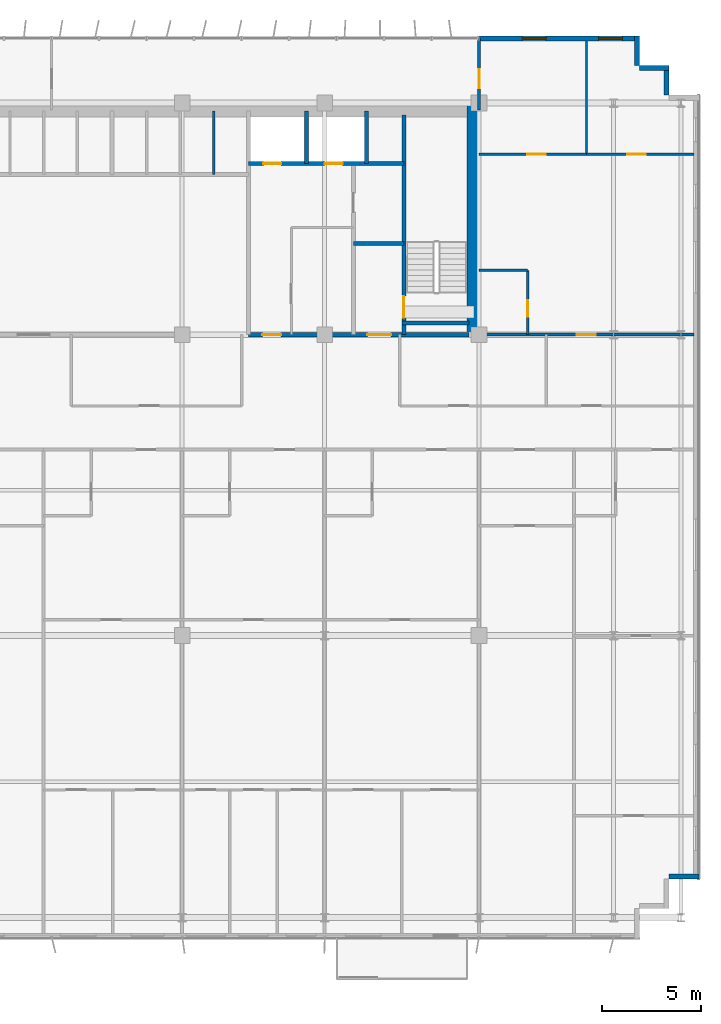
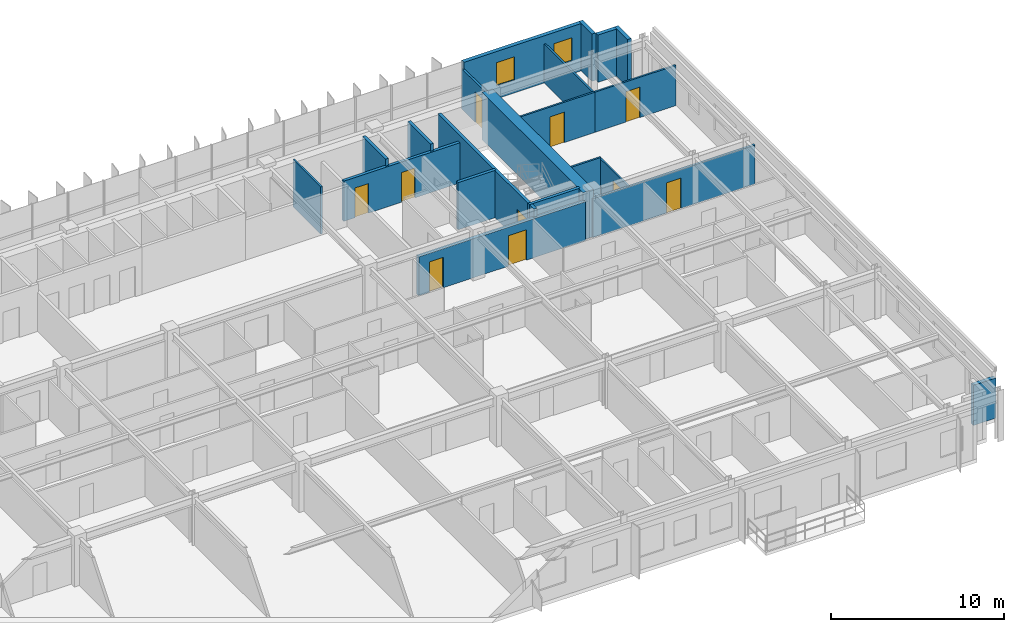
# One storey, part 18 of 22: 21 walls, 10 doors, 2 windows, 12 openings.
"""IFC4 building model written with IfcOpenShell, lengths in metres."""

import ifcopenshell
import ifcopenshell.guid

model = None  # the IFC model being written
_history = None  # IfcOwnerHistory: only IFC2X3 demands one
_inside = {}  # id of a spatial element -> (the spatial element, [elements in it])
_under = {}  # id of a project, library or spatial element -> (it, [spatial elements below it])
_declared = {}  # id of a project -> (the project, [libraries it declares])
_typed = {}  # id of a type object -> (the type object, [elements of that type])
_made_of = {}  # id of a material, layer set ... -> (it, [elements and type objects made of it])


def new_model(schema):
    """Start an empty IFC model of exactly this schema.

    Asked for "IFC4X3", IfcOpenShell would pick the latest addendum, in which some entities
    have other attributes; the version numbers below select the first issue.
    IFC2X3 requires an IfcOwnerHistory on every rooted entity: one is made here for all.
    """
    global model, _history
    if schema == "IFC4X3":
        model = ifcopenshell.file(schema_version=(4, 3, 0, 0))
    else:
        model = ifcopenshell.file(schema=schema)
    _inside.clear()
    _under.clear()
    _declared.clear()
    _typed.clear()
    _made_of.clear()
    _history = None
    if model.schema == "IFC2X3":
        org = make("IfcOrganization", Name="unknown")
        user = make(
            "IfcPersonAndOrganization",
            ThePerson=make("IfcPerson", FamilyName="unknown"),
            TheOrganization=org,
        )
        app = make(
            "IfcApplication",
            ApplicationDeveloper=org,
            Version="unknown",
            ApplicationFullName="unknown",
            ApplicationIdentifier="unknown",
        )
        _history = make(
            "IfcOwnerHistory",
            OwningUser=user,
            OwningApplication=app,
            ChangeAction="ADDED",
            CreationDate=0,
        )
    return model


def make(cls, **values):
    """One entity of the class cls with the attributes given. An attribute that is None is left unset."""
    return model.create_entity(
        cls, **{name: value for name, value in values.items() if value is not None}
    )


def rooted(cls, **values):
    """An entity with a GlobalId (a new one), such as an element, a storey or a relation."""
    return make(cls, GlobalId=ifcopenshell.guid.new(), OwnerHistory=_history, **values)


def si_unit(unit_type, name, prefix=None):
    """IfcSIUnit, for example si_unit("LENGTHUNIT", "METRE", prefix="MILLI")."""
    return make("IfcSIUnit", UnitType=unit_type, Prefix=prefix, Name=name)


def assignment(units):
    """IfcUnitAssignment: the units of a project."""
    return None if units is None else make("IfcUnitAssignment", Units=units)


def point(xyz):
    """IfcCartesianPoint."""
    return None if xyz is None else make("IfcCartesianPoint", Coordinates=xyz)


def direction(xyz):
    """IfcDirection."""
    return None if xyz is None else make("IfcDirection", DirectionRatios=xyz)


def frame(location, z_axis=None, x_axis=None):
    """IfcAxis2Placement3D, a coordinate frame: its origin and axes. An axis left out is left unset."""
    return make(
        "IfcAxis2Placement3D",
        Location=point(location),
        Axis=direction(z_axis),
        RefDirection=direction(x_axis),
    )


def frame_2d(location, x_axis=None):
    """IfcAxis2Placement2D, a coordinate frame in the plane: its origin and x axis."""
    return make(
        "IfcAxis2Placement2D", Location=point(location), RefDirection=direction(x_axis)
    )


def origin():
    """The frame at (0, 0, 0) with its axes left unset."""
    return frame((0.0, 0.0, 0.0))


def place(relative_to, where):
    """IfcLocalPlacement: puts the frame where relative to a parent placement (None: the world)."""
    return make(
        "IfcLocalPlacement", PlacementRelTo=relative_to, RelativePlacement=where
    )


def context(
    kind, dimensions, precision=None, world=None, true_north=None, identifier=None
):
    """IfcGeometricRepresentationContext, for example the 3D "Model" context."""
    return make(
        "IfcGeometricRepresentationContext",
        ContextIdentifier=identifier,
        ContextType=kind,
        CoordinateSpaceDimension=dimensions,
        Precision=precision,
        WorldCoordinateSystem=world,
        TrueNorth=true_north,
    )


def subcontext(parent, identifier, kind, view, scale=None):
    """IfcGeometricRepresentationSubContext, for example "Body" below "Model"."""
    return make(
        "IfcGeometricRepresentationSubContext",
        ContextIdentifier=identifier,
        ContextType=kind,
        ParentContext=parent,
        TargetScale=scale,
        TargetView=view,
    )


def project(units=None, contexts=None):
    """IfcProject with its units and contexts."""
    return rooted(
        "IfcProject",
        Name="project",
        RepresentationContexts=contexts,
        UnitsInContext=assignment(units),
    )


def spatial(cls, under=None, at=None, **own):
    """A site, building, storey or space (cls), placed at a placement, below another one or the project."""
    s = rooted(cls, ObjectPlacement=at, **own)
    if under is not None:
        _under.setdefault(under.id(), (under, []))[1].append(s)
    return s


def profile(cls, at=None, kind="AREA", **sizes):
    """A parametric profile (cls). Its sizes go by their IFC names, for example OverallWidth=200.0."""
    return make(cls, ProfileType=kind, Position=at, **sizes)


def rectangle(**sizes):
    """IfcRectangleProfileDef."""
    return profile("IfcRectangleProfileDef", **sizes)


def extrude(swept, where, along, depth):
    """IfcExtrudedAreaSolid: the profile swept, set in the frame where, extruded along a direction by depth."""
    return make(
        "IfcExtrudedAreaSolid",
        SweptArea=swept,
        Position=where,
        ExtrudedDirection=direction(along),
        Depth=depth,
    )


def shape(context_of_items, identifier, shape_type, items):
    """IfcShapeRepresentation: the items that make up one representation, for example the "Body"."""
    return make(
        "IfcShapeRepresentation",
        ContextOfItems=context_of_items,
        RepresentationIdentifier=identifier,
        RepresentationType=shape_type,
        Items=items,
    )


def source(mapping_origin, context_of_items, identifier, shape_type, items):
    """IfcRepresentationMap: a shape defined once, which mapped items show again and again."""
    return make(
        "IfcRepresentationMap",
        MappingOrigin=mapping_origin,
        MappedRepresentation=shape(context_of_items, identifier, shape_type, items),
    )


def transform(
    local_origin,
    x_axis=None,
    y_axis=None,
    z_axis=None,
    scale=None,
    scale2=None,
    scale3=None,
    uniform=True,
):
    """IfcCartesianTransformationOperator3D, or its non-uniform kind. x_axis, y_axis, z_axis: its Axis1, 2, 3."""
    if uniform:
        return make(
            "IfcCartesianTransformationOperator3D",
            Axis1=direction(x_axis),
            Axis2=direction(y_axis),
            LocalOrigin=point(local_origin),
            Scale=scale,
            Axis3=direction(z_axis),
        )
    return make(
        "IfcCartesianTransformationOperator3DnonUniform",
        Axis1=direction(x_axis),
        Axis2=direction(y_axis),
        LocalOrigin=point(local_origin),
        Scale=scale,
        Axis3=direction(z_axis),
        Scale2=scale2,
        Scale3=scale3,
    )


def mapped(mapping_source, mapping_target):
    """IfcMappedItem: shows the shape of a source again, moved by a transform."""
    return make(
        "IfcMappedItem", MappingSource=mapping_source, MappingTarget=mapping_target
    )


def material(Name=None, Category=None):
    """IfcMaterial."""
    return make("IfcMaterial", Name=Name, Category=Category)


def layer(
    of_material, thickness, ventilated=None, Name=None, Category=None, Priority=None
):
    """IfcMaterialLayer: one layer of a wall or slab, of a material (None: an air gap)."""
    return make(
        "IfcMaterialLayer",
        Material=of_material,
        LayerThickness=thickness,
        IsVentilated=ventilated,
        Name=Name,
        Category=Category,
        Priority=Priority,
    )


def layer_set(layers, Name=None):
    """IfcMaterialLayerSet."""
    return make("IfcMaterialLayerSet", MaterialLayers=layers, LayerSetName=Name)


def made_of(thing, what):
    """Note that an element or type object is made of a material, layer set ...; save() writes the relation."""
    if what is not None:
        _made_of.setdefault(what.id(), (what, []))[1].append(thing)
    return thing


def type_object(cls, material=None, **own):
    """A type object (cls), such as IfcWallType, which elements share."""
    return made_of(rooted(cls, **own), material)


def element(
    cls,
    number,
    at=None,
    inside=None,
    cuts=None,
    type_object=None,
    material=None,
    context=None,
    identifier="Body",
    shape_type=None,
    held_by="IfcProductDefinitionShape",
    body=None,
    shapes=None,
    **own,
):
    """One element of the class cls, such as IfcWall. Its Tag is "e" and its number.

    at: its placement. inside: the storey or other place that contains it. cuts: it is an
    opening in that element (IfcRelVoidsElement). A single representation is given by context,
    identifier, shape_type and body (its items); several are given by shapes. held_by: the class
    of the entity that holds the representations. save() writes the other relations.
    """
    e = rooted(cls, Tag="e%d" % number, ObjectPlacement=at, **own)
    if body is not None:
        shapes = [shape(context, identifier, shape_type, body)]
    if shapes is not None:
        e.Representation = make(held_by, Representations=shapes)
    if inside is not None:
        _inside.setdefault(inside.id(), (inside, []))[1].append(e)
    if cuts is not None:
        rooted(
            "IfcRelVoidsElement", RelatingBuildingElement=cuts, RelatedOpeningElement=e
        )
    if type_object is not None:
        _typed.setdefault(type_object.id(), (type_object, []))[1].append(e)
    return made_of(e, material)


def fill(opening, filler):
    """IfcRelFillsElement: the door or window that sits in an opening."""
    return rooted(
        "IfcRelFillsElement",
        RelatingOpeningElement=opening,
        RelatedBuildingElement=filler,
    )


def aggregate(whole, parts):
    """IfcRelAggregates: a whole, such as a stair, and the parts it consists of."""
    return rooted("IfcRelAggregates", RelatingObject=whole, RelatedObjects=parts)


def save(model, path):
    """Write the relations noted so far, then the file.

    IfcRelAggregates (storeys below a building ...), IfcRelContainedInSpatialStructure (elements
    in a storey), IfcRelDefinesByType, IfcRelAssociatesMaterial and IfcRelDeclares: one each for
    every whole, place, type object, material and project.
    """
    for whole, parts in _under.values():
        aggregate(whole, parts)
    for where, things in _inside.values():
        rooted(
            "IfcRelContainedInSpatialStructure",
            RelatedElements=things,
            RelatingStructure=where,
        )
    for kind, things in _typed.values():
        rooted("IfcRelDefinesByType", RelatedObjects=things, RelatingType=kind)
    for what, things in _made_of.values():
        rooted("IfcRelAssociatesMaterial", RelatedObjects=things, RelatingMaterial=what)
    for by, libraries in _declared.values():
        rooted("IfcRelDeclares", RelatingContext=by, RelatedDefinitions=libraries)
    model.write(path)


model = new_model("IFC4")

# Units and contexts
model_context = context("Model", 3, precision=1e-05, world=origin(), true_north=direction((0.0, 1.0)))
body_context = subcontext(model_context, "Body", "Model", "MODEL_VIEW")
ifc_project = project(units=[si_unit("LENGTHUNIT", "METRE"), si_unit("AREAUNIT", "SQUARE_METRE"), si_unit("VOLUMEUNIT", "CUBIC_METRE"), si_unit("PLANEANGLEUNIT", "RADIAN"), si_unit("MASSUNIT", "GRAM", prefix="KILO")], contexts=[model_context])

# Site, building, storey
site_placement = place(None, origin())
site = spatial("IfcSite", under=ifc_project, at=site_placement, CompositionType="ELEMENT")
building_placement = place(site_placement, origin())
building = spatial("IfcBuilding", under=site, at=building_placement, Name="Trelvane Seafront Commons", CompositionType="ELEMENT")
storey_placement = place(building_placement, frame((0.0, 0.0, 88.89990234375)))
storey = spatial("IfcBuildingStorey", under=building, at=storey_placement, Name="L22", CompositionType="ELEMENT", Elevation=88.89990234375)

# Wall, openings, windows
ifc_material_1 = material(Name="Precast concrete C40/50", Category="concrete")
ifc_layer_1 = layer(ifc_material_1, 0.260009765625, Name="ARCH-WALL-EXT260")
ifc_layer_set_1 = layer_set([ifc_layer_1], Name="Precast concrete C40/50")
wall_type_1 = type_object("IfcWallType", Name="ARCH-WALL-EXT260", PredefinedType="SOLIDWALL", material=ifc_layer_set_1)
wall_1_placement = place(storey_placement, frame((58.800048828125, 48.3701171875, 0.0), z_axis=(0.0, 0.0, 1.0), x_axis=(1.0, 0.0, 0.0)))
wall_1 = element("IfcWall", 1, at=wall_1_placement, inside=storey, type_object=wall_type_1, Name="EW-L22-NE-0392", PredefinedType="SOLIDWALL", context=body_context, shape_type="SweptSolid", body=[
    extrude(rectangle(XDim=8.0, YDim=0.260009765625, at=frame_2d((4.0, 0.0))), origin(), (0.0, 0.0, 1.0), 3.340087890625),
])
opening_1_placement = place(wall_1_placement, frame((2.19189453125, 0.0, 0.89990234375)))
opening_1 = element("IfcOpeningElement", 2, at=opening_1_placement, cuts=wall_1, Name="Opening W05", PredefinedType="OPENING", context=body_context, shape_type="SweptSolid", body=[
    extrude(rectangle(XDim=1.199951171875, YDim=1.64990234375, at=frame_2d((0.60009765625, 0.824951171875))), frame((0.0, 0.139892578125, 0.0), z_axis=(0.0, -1.0, 0.0), x_axis=(1.0, 0.0, 0.0)), (0.0, 0.0, 1.0), 0.280029296875),
])
opening_2_placement = place(wall_1_placement, frame((6.032958984375, 0.0, 0.89990234375)))
opening_2 = element("IfcOpeningElement", 3, at=opening_2_placement, cuts=wall_1, Name="Opening W05", PredefinedType="OPENING", context=body_context, shape_type="SweptSolid", body=[
    extrude(rectangle(XDim=1.199951171875, YDim=1.64990234375, at=frame_2d((0.60009765625, 0.824951171875))), frame((0.0, 0.139892578125, 0.0), z_axis=(0.0, -1.0, 0.0), x_axis=(1.0, 0.0, 0.0)), (0.0, 0.0, 1.0), 0.280029296875),
])
ifc_material_2 = material(Name="Low-E coastal double glazing", Category="glass")
window_type = type_object("IfcWindowType", Name="ARCH-WIN-W05", PartitioningType="SINGLE_PANEL", PredefinedType="WINDOW", material=ifc_material_2)
shared_shape_1 = source(origin(), body_context, "Body", "SweptSolid", [
    extrude(rectangle(XDim=1.199951171875, YDim=1.64990234375, at=frame_2d((0.60009765625, 0.824951171875))), frame((0.0, 0.030029296875, 0.0), z_axis=(0.0, -1.0, 0.0), x_axis=(1.0, 0.0, 0.0)), (0.0, 0.0, 1.0), 0.06005859375),
])
window_1_placement = place(opening_1_placement, origin())
window_1 = element("IfcWindow", 4, at=window_1_placement, inside=storey, type_object=window_type, Name="WIN-L22-00450", OverallHeight=1.64990234375, OverallWidth=1.199951171875, PartitioningType="SINGLE_PANEL", PredefinedType="WINDOW", context=body_context, shape_type="MappedRepresentation", body=[
    mapped(shared_shape_1, transform((0.0, 0.0, 0.0), x_axis=(1.0, 0.0, 0.0), y_axis=(0.0, 1.0, 0.0), z_axis=(0.0, 0.0, 1.0), scale=1.0)),
])
fill(opening_1, window_1)
window_2_placement = place(opening_2_placement, origin())
window_2 = element("IfcWindow", 5, at=window_2_placement, inside=storey, type_object=window_type, Name="WIN-L22-00451", OverallHeight=1.64990234375, OverallWidth=1.199951171875, PartitioningType="SINGLE_PANEL", PredefinedType="WINDOW", context=body_context, shape_type="MappedRepresentation", body=[
    mapped(shared_shape_1, transform((0.0, 0.0, 0.0), x_axis=(1.0, 0.0, 0.0), y_axis=(0.0, 1.0, 0.0), z_axis=(0.0, 0.0, 1.0), scale=1.0)),
])
fill(opening_2, window_2)

# Walls
for number, where, z_axis, x_axis, name in (
    (6, (66.77001953125, 48.5, 0.0), (0.0, 0.0, 1.0), (0.0, -1.0, 0.0), "EW-L22-00401"),
    (7, (66.89990234375, 46.8701171875, 0.0), (0.0, 0.0, 1.0), (1.0, 0.0, 0.0), "EW-L22-00402"),
    (8, (68.27001953125, 47.0, 0.0), (0.0, 0.0, 1.0), (0.0, -1.0, 0.0), "EW-L22-00403"),
):
    element("IfcWall", number, at=place(storey_placement, frame(where, z_axis=z_axis, x_axis=x_axis)), inside=storey, type_object=wall_type_1, Name=name, PredefinedType="SOLIDWALL", context=body_context, shape_type="SweptSolid", body=[
        extrude(rectangle(XDim=1.5, YDim=0.260009765625, at=frame_2d((0.75, 0.0))), origin(), (0.0, 0.0, 1.0), 3.340087890625),
    ])
wall_2_placement = place(storey_placement, frame((69.89990234375, 6.030029296875, 0.0), z_axis=(0.0, 0.0, 1.0), x_axis=(-1.0, 0.0, 0.0)))
element("IfcWall", 9, at=wall_2_placement, inside=storey, type_object=wall_type_1, Name="EW-L22-00406", PredefinedType="SOLIDWALL", context=body_context, shape_type="SweptSolid", body=[
    extrude(rectangle(XDim=1.5, YDim=0.260009765625, at=frame_2d((0.75, 0.0))), origin(), (0.0, 0.0, 1.0), 2.840087890625),
])
ifc_material_3 = material(Name="Concrete C40/50", Category="concrete")
ifc_layer_2 = layer(ifc_material_3, 0.199951171875, Name="ARCH-WALL-FIRE200")
ifc_layer_set_2 = layer_set([ifc_layer_2], Name="Concrete C40/50")
wall_type_2 = type_object("IfcWallType", Name="ARCH-WALL-FIRE200", PredefinedType="PARTITIONING", material=ifc_layer_set_2)
wall_3_placement = place(storey_placement, frame((52.449951171875, 38.0, 0.0), z_axis=(0.0, 0.0, 1.0), x_axis=(1.0, 0.0, 0.0)))
element("IfcWall", 10, at=wall_3_placement, inside=storey, type_object=wall_type_2, Name="W-L22-ST2V-N-034", PredefinedType="PARTITIONING", context=body_context, shape_type="SweptSolid", body=[
    extrude(rectangle(XDim=2.550048828125, YDim=0.199951171875, at=frame_2d((1.27490234375, 0.0))), origin(), (0.0, 0.0, 1.0), 3.340087890625),
])

# Wall, openings, doors
ifc_layer_3 = layer(ifc_material_3, 0.25, Name="ARCH-WALL-FIRE250")
ifc_layer_set_3 = layer_set([ifc_layer_3], Name="Concrete C40/50")
wall_type_3 = type_object("IfcWallType", Name="ARCH-WALL-FIRE250", PredefinedType="PARTITIONING", material=ifc_layer_set_3)
wall_4_placement = place(storey_placement, frame((47.14990234375, 33.39990234375, 0.0), z_axis=(0.0, 0.0, 1.0), x_axis=(1.0, 0.0, 0.0)))
wall_4 = element("IfcWall", 11, at=wall_4_placement, inside=storey, type_object=wall_type_3, Name="W-L22-CS-EAST-037", PredefinedType="PARTITIONING", context=body_context, shape_type="SweptSolid", body=[
    extrude(rectangle(XDim=11.150146484375, YDim=0.25, at=frame_2d((5.5751953125, 0.0))), origin(), (0.0, 0.0, 1.0), 2.752197265625),
])
opening_3_placement = place(wall_4_placement, frame((0.699951171875, 0.0, 0.0)))
opening_3 = element("IfcOpeningElement", 12, at=opening_3_placement, cuts=wall_4, Name="Opening FD-L22-15", PredefinedType="OPENING", context=body_context, shape_type="SweptSolid", body=[
    extrude(rectangle(XDim=0.949951171875, YDim=2.14990234375, at=frame_2d((0.47509765625, 1.074951171875))), frame((0.0, 0.135009765625, 0.0), z_axis=(0.0, -1.0, 0.0), x_axis=(1.0, 0.0, 0.0)), (0.0, 0.0, 1.0), 0.27001953125),
])
opening_4_placement = place(wall_4_placement, frame((6.0, 0.0, 0.0)))
opening_4 = element("IfcOpeningElement", 13, at=opening_4_placement, cuts=wall_4, Name="Opening FD-L22-16", PredefinedType="OPENING", context=body_context, shape_type="SweptSolid", body=[
    extrude(rectangle(XDim=1.199951171875, YDim=2.14990234375, at=frame_2d((0.60009765625, 1.074951171875))), frame((0.0, 0.135009765625, 0.0), z_axis=(0.0, -1.0, 0.0), x_axis=(1.0, 0.0, 0.0)), (0.0, 0.0, 1.0), 0.27001953125),
])
ifc_material_4 = material(Name="Powder-coated aluminium frame", Category="aluminium")
door_type_1 = type_object("IfcDoorType", Name="ARCH-DR-FD60-950", OperationType="NOTDEFINED", PredefinedType="DOOR", material=ifc_material_4)
shared_shape_2 = source(origin(), body_context, "Body", "SweptSolid", [
    extrude(rectangle(XDim=0.949951171875, YDim=2.14990234375, at=frame_2d((0.47509765625, 1.074951171875))), frame((0.0, 0.02490234375, 0.0), z_axis=(0.0, -1.0, 0.0), x_axis=(1.0, 0.0, 0.0)), (0.0, 0.0, 1.0), 0.050048828125),
])
door_1_placement = place(opening_3_placement, origin())
door_1 = element("IfcDoor", 14, at=door_1_placement, inside=storey, type_object=door_type_1, Name="L22 Core Service Lobby Door", OperationType="SINGLE_SWING_LEFT", OverallHeight=2.14990234375, OverallWidth=0.949951171875, PredefinedType="DOOR", context=body_context, shape_type="MappedRepresentation", body=[
    mapped(shared_shape_2, transform((0.0, 0.0, 0.0), x_axis=(1.0, 0.0, 0.0), y_axis=(0.0, 1.0, 0.0), z_axis=(0.0, 0.0, 1.0), scale=1.0)),
])
fill(opening_3, door_1)
door_type_2 = type_object("IfcDoorType", Name="ARCH-DR-FD60-1200", OperationType="NOTDEFINED", PredefinedType="DOOR", material=ifc_material_4)
shared_shape_3 = source(origin(), body_context, "Body", "SweptSolid", [
    extrude(rectangle(XDim=1.199951171875, YDim=2.14990234375, at=frame_2d((0.60009765625, 1.074951171875))), frame((0.0, 0.02490234375, 0.0), z_axis=(0.0, -1.0, 0.0), x_axis=(1.0, 0.0, 0.0)), (0.0, 0.0, 1.0), 0.050048828125),
])
door_2_placement = place(opening_4_placement, origin())
door_2 = element("IfcDoor", 15, at=door_2_placement, inside=storey, type_object=door_type_2, Name="L22 East Stair Vestibule Fire Door", OperationType="SINGLE_SWING_RIGHT", OverallHeight=2.14990234375, OverallWidth=1.199951171875, PredefinedType="DOOR", context=body_context, shape_type="MappedRepresentation", body=[
    mapped(shared_shape_3, transform((0.0, 0.0, 0.0), x_axis=(1.0, 0.0, 0.0), y_axis=(0.0, 1.0, 0.0), z_axis=(0.0, 0.0, 1.0), scale=1.0)),
])
fill(opening_4, door_2)

# Wall
ifc_material_5 = material(Name="Gypsum Drywall Acoustic Partition")
ifc_layer_4 = layer(ifc_material_5, 0.1201171875, Name="ARCH-WALL-PART120")
ifc_layer_set_4 = layer_set([ifc_layer_4], Name="Gypsum Drywall Acoustic Partition")
wall_type_4 = type_object("IfcWallType", Name="ARCH-WALL-PART120", PredefinedType="PARTITIONING", material=ifc_layer_set_4)
wall_5_placement = place(storey_placement, frame((45.39990234375, 41.5, 0.0), z_axis=(0.0, 0.0, 1.0), x_axis=(0.0, 1.0, 0.0)))
element("IfcWall", 16, at=wall_5_placement, inside=storey, type_object=wall_type_4, Name="W-L22-PH-DIV3-027", PredefinedType="PARTITIONING", context=body_context, shape_type="SweptSolid", body=[
    extrude(rectangle(XDim=3.199951171875, YDim=0.1201171875, at=frame_2d((1.60009765625, 0.0))), origin(), (0.0, 0.0, 1.0), 3.340087890625),
])

# Wall, opening, door
wall_6_placement = place(storey_placement, frame((61.25, 33.39990234375, 0.0), z_axis=(0.0, 0.0, 1.0), x_axis=(0.0, 1.0, 0.0)))
wall_6 = element("IfcWall", 17, at=wall_6_placement, inside=storey, type_object=wall_type_4, Name="W-L22-NE-BE-051", PredefinedType="PARTITIONING", context=body_context, shape_type="SweptSolid", body=[
    extrude(rectangle(XDim=3.25, YDim=0.1201171875, at=frame_2d((1.625, 0.0))), origin(), (0.0, 0.0, 1.0), 2.752197265625),
])
opening_5_placement = place(wall_6_placement, frame((0.89990234375, 0.0, 0.0)))
opening_5 = element("IfcOpeningElement", 18, at=opening_5_placement, cuts=wall_6, Name="Opening D-L22-24", PredefinedType="OPENING", context=body_context, shape_type="SweptSolid", body=[
    extrude(rectangle(XDim=0.85009765625, YDim=2.10009765625, at=frame_2d((0.425048828125, 1.050048828125))), frame((0.0, 0.070068359375, 0.0), z_axis=(0.0, -1.0, 0.0), x_axis=(1.0, 0.0, 0.0)), (0.0, 0.0, 1.0), 0.14013671875),
])
ifc_material_6 = material(Name="Acoustic timber door leaf", Category="wood")
door_type_3 = type_object("IfcDoorType", Name="ARCH-DR-INT850", OperationType="NOTDEFINED", PredefinedType="DOOR", material=ifc_material_6)
shared_shape_4 = source(origin(), body_context, "Body", "SweptSolid", [
    extrude(rectangle(XDim=0.85009765625, YDim=2.10009765625, at=frame_2d((0.425048828125, 1.050048828125))), frame((0.0, 0.02490234375, 0.0), z_axis=(0.0, -1.0, 0.0), x_axis=(1.0, 0.0, 0.0)), (0.0, 0.0, 1.0), 0.050048828125),
])
door_3_placement = place(opening_5_placement, origin())
door_3 = element("IfcDoor", 19, at=door_3_placement, inside=storey, type_object=door_type_3, Name="L22 Door 24", OperationType="SINGLE_SWING_RIGHT", OverallHeight=2.10009765625, OverallWidth=0.85009765625, PredefinedType="DOOR", context=body_context, shape_type="MappedRepresentation", body=[
    mapped(shared_shape_4, transform((0.0, 0.0, 0.0), x_axis=(1.0, 0.0, 0.0), y_axis=(0.0, 1.0, 0.0), z_axis=(0.0, 0.0, 1.0), scale=1.0)),
])
fill(opening_5, door_3)

# Wall
wall_7_placement = place(storey_placement, frame((58.800048828125, 36.64990234375, 0.0), z_axis=(0.0, 0.0, 1.0), x_axis=(1.0, 0.0, 0.0)))
element("IfcWall", 20, at=wall_7_placement, inside=storey, type_object=wall_type_4, Name="W-L22-NE-BN-052", PredefinedType="PARTITIONING", context=body_context, shape_type="SweptSolid", body=[
    extrude(rectangle(XDim=2.449951171875, YDim=0.1201171875, at=frame_2d((1.22509765625, 0.0))), origin(), (0.0, 0.0, 1.0), 2.840087890625),
])

# Wall, opening, door
wall_8_placement = place(storey_placement, frame((58.800048828125, 42.52001953125, 0.0), z_axis=(0.0, 0.0, 1.0), x_axis=(1.0, 0.0, 0.0)))
wall_8 = element("IfcWall", 21, at=wall_8_placement, inside=storey, type_object=wall_type_4, Name="W-L22-NE-KB1-053", PredefinedType="PARTITIONING", context=body_context, shape_type="SweptSolid", body=[
    extrude(rectangle(XDim=5.425048828125, YDim=0.1201171875, at=frame_2d((2.71240234375, 0.0))), origin(), (0.0, 0.0, 1.0), 2.840087890625),
])
opening_6_placement = place(wall_8_placement, frame((2.423095703125, 0.0, 0.0)))
opening_6 = element("IfcOpeningElement", 22, at=opening_6_placement, cuts=wall_8, Name="Opening D-L22-25", PredefinedType="OPENING", context=body_context, shape_type="SweptSolid", body=[
    extrude(rectangle(XDim=0.949951171875, YDim=2.14990234375, at=frame_2d((0.47509765625, 1.074951171875))), frame((0.0, 0.070068359375, 0.0), z_axis=(0.0, -1.0, 0.0), x_axis=(1.0, 0.0, 0.0)), (0.0, 0.0, 1.0), 0.14013671875),
])
door_type_4 = type_object("IfcDoorType", Name="ARCH-DR-INT950", OperationType="NOTDEFINED", PredefinedType="DOOR", material=ifc_material_6)
door_4_placement = place(opening_6_placement, origin())
door_4 = element("IfcDoor", 23, at=door_4_placement, inside=storey, type_object=door_type_4, Name="L22 Door 25", OperationType="SINGLE_SWING_LEFT", OverallHeight=2.14990234375, OverallWidth=0.949951171875, PredefinedType="DOOR", context=body_context, shape_type="MappedRepresentation", body=[
    mapped(shared_shape_2, transform((0.0, 0.0, 0.0), x_axis=(1.0, 0.0, 0.0), y_axis=(0.0, 1.0, 0.0), z_axis=(0.0, 0.0, 1.0), scale=1.0)),
])
fill(opening_6, door_4)

wall_9_placement = place(storey_placement, frame((64.22509765625, 42.52001953125, 0.0), z_axis=(0.0, 0.0, 1.0), x_axis=(1.0, 0.0, 0.0)))
wall_9 = element("IfcWall", 24, at=wall_9_placement, inside=storey, type_object=wall_type_4, Name="W-L22-NE-KB2-054", PredefinedType="PARTITIONING", context=body_context, shape_type="SweptSolid", body=[
    extrude(rectangle(XDim=5.4248046875, YDim=0.1201171875, at=frame_2d((2.71240234375, 0.0))), origin(), (0.0, 0.0, 1.0), 2.840087890625),
])
opening_7_placement = place(wall_9_placement, frame((2.052001953125, 0.0, 0.0)))
opening_7 = element("IfcOpeningElement", 25, at=opening_7_placement, cuts=wall_9, Name="Opening D-L22-26", PredefinedType="OPENING", context=body_context, shape_type="SweptSolid", body=[
    extrude(rectangle(XDim=0.949951171875, YDim=2.14990234375, at=frame_2d((0.47509765625, 1.074951171875))), frame((0.0, 0.070068359375, 0.0), z_axis=(0.0, -1.0, 0.0), x_axis=(1.0, 0.0, 0.0)), (0.0, 0.0, 1.0), 0.14013671875),
])
door_5_placement = place(opening_7_placement, origin())
door_5 = element("IfcDoor", 26, at=door_5_placement, inside=storey, type_object=door_type_4, Name="L22 Door 26", OperationType="SINGLE_SWING_RIGHT", OverallHeight=2.14990234375, OverallWidth=0.949951171875, PredefinedType="DOOR", context=body_context, shape_type="MappedRepresentation", body=[
    mapped(shared_shape_2, transform((0.0, 0.0, 0.0), x_axis=(1.0, 0.0, 0.0), y_axis=(0.0, 1.0, 0.0), z_axis=(0.0, 0.0, 1.0), scale=1.0)),
])
fill(opening_7, door_5)

# Wall
wall_10_placement = place(storey_placement, frame((64.22509765625, 42.52001953125, 0.0), z_axis=(0.0, 0.0, 1.0), x_axis=(0.0, 1.0, 0.0)))
element("IfcWall", 27, at=wall_10_placement, inside=storey, type_object=wall_type_4, Name="W-L22-NE-KBDV-055", PredefinedType="PARTITIONING", context=body_context, shape_type="SweptSolid", body=[
    extrude(rectangle(XDim=5.719970703125, YDim=0.1201171875, at=frame_2d((2.85986328125, 0.0))), origin(), (0.0, 0.0, 1.0), 2.752197265625),
])

# Wall, opening, door
ifc_layer_5 = layer(ifc_material_5, 0.14990234375, Name="ARCH-WALL-PART150")
ifc_layer_set_5 = layer_set([ifc_layer_5], Name="Gypsum Drywall Acoustic Partition")
wall_type_5 = type_object("IfcWallType", Name="ARCH-WALL-PART150", PredefinedType="PARTITIONING", material=ifc_layer_set_5)
wall_11_placement = place(storey_placement, frame((58.800048828125, 33.39990234375, 0.0), z_axis=(0.0, 0.0, 1.0), x_axis=(1.0, 0.0, 0.0)))
wall_11 = element("IfcWall", 28, at=wall_11_placement, inside=storey, type_object=wall_type_5, Name="W-L22-NE-ENT-056", PredefinedType="PARTITIONING", context=body_context, shape_type="SweptSolid", body=[
    extrude(rectangle(XDim=10.849853515625, YDim=0.14990234375, at=frame_2d((5.4248046875, 0.0))), origin(), (0.0, 0.0, 1.0), 2.752197265625),
])
opening_8_placement = place(wall_11_placement, frame((4.93310546875, 0.0, 0.0)))
opening_8 = element("IfcOpeningElement", 29, at=opening_8_placement, cuts=wall_11, Name="Opening FD-L22-27", PredefinedType="OPENING", context=body_context, shape_type="SweptSolid", body=[
    extrude(rectangle(XDim=0.949951171875, YDim=2.14990234375, at=frame_2d((0.47509765625, 1.074951171875))), frame((0.0, 0.0849609375, 0.0), z_axis=(0.0, -1.0, 0.0), x_axis=(1.0, 0.0, 0.0)), (0.0, 0.0, 1.0), 0.169921875),
])
door_6_placement = place(opening_8_placement, origin())
door_6 = element("IfcDoor", 30, at=door_6_placement, inside=storey, type_object=door_type_1, Name="L22 NE Flat Entrance Door", OperationType="SINGLE_SWING_LEFT", OverallHeight=2.14990234375, OverallWidth=0.949951171875, PredefinedType="DOOR", context=body_context, shape_type="MappedRepresentation", body=[
    mapped(shared_shape_2, transform((0.0, 0.0, 0.0), x_axis=(1.0, 0.0, 0.0), y_axis=(0.0, 1.0, 0.0), z_axis=(0.0, 0.0, 1.0), scale=1.0)),
])
fill(opening_8, door_6)

wall_12_placement = place(storey_placement, frame((58.800048828125, 44.75, 0.0), z_axis=(0.0, 0.0, 1.0), x_axis=(0.0, 1.0, 0.0)))
wall_12 = element("IfcWall", 31, at=wall_12_placement, inside=storey, type_object=wall_type_5, Name="W-L22-N-LINK-E-059", PredefinedType="PARTITIONING", context=body_context, shape_type="SweptSolid", body=[
    extrude(rectangle(XDim=3.610107421875, YDim=0.14990234375, at=frame_2d((1.80517578125, 0.0))), origin(), (0.0, 0.0, 1.0), 2.840087890625),
])
opening_9_placement = place(wall_12_placement, frame((1.10009765625, 0.0, 0.0)))
opening_9 = element("IfcOpeningElement", 32, at=opening_9_placement, cuts=wall_12, Name="Opening FD-L22-30", PredefinedType="OPENING", context=body_context, shape_type="SweptSolid", body=[
    extrude(rectangle(XDim=0.949951171875, YDim=2.14990234375, at=frame_2d((0.47509765625, 1.074951171875))), frame((0.0, 0.0849609375, 0.0), z_axis=(0.0, -1.0, 0.0), x_axis=(1.0, 0.0, 0.0)), (0.0, 0.0, 1.0), 0.169921875),
])
door_7_placement = place(opening_9_placement, origin())
door_7 = element("IfcDoor", 33, at=door_7_placement, inside=storey, type_object=door_type_1, Name="L22 Door 30", OperationType="SINGLE_SWING_RIGHT", OverallHeight=2.14990234375, OverallWidth=0.949951171875, PredefinedType="DOOR", context=body_context, shape_type="MappedRepresentation", body=[
    mapped(shared_shape_2, transform((0.0, 0.0, 0.0), x_axis=(1.0, 0.0, 0.0), y_axis=(0.0, 1.0, 0.0), z_axis=(0.0, 0.0, 1.0), scale=1.0)),
])
fill(opening_9, door_7)

# Wall, openings, doors
ifc_layer_6 = layer(ifc_material_3, 0.199951171875, Name="ARCH-WALL-SHAFT200")
ifc_layer_set_6 = layer_set([ifc_layer_6], Name="Concrete C40/50")
wall_type_6 = type_object("IfcWallType", Name="ARCH-WALL-SHAFT200", PredefinedType="SOLIDWALL", material=ifc_layer_set_6)
wall_13_placement = place(storey_placement, frame((47.14990234375, 42.050048828125, 0.0), z_axis=(0.0, 0.0, 1.0), x_axis=(1.0, 0.0, 0.0)))
wall_13 = element("IfcWall", 34, at=wall_13_placement, inside=storey, type_object=wall_type_6, Name="W-L22-RSR-S-030", PredefinedType="SOLIDWALL", context=body_context, shape_type="SweptSolid", body=[
    extrude(rectangle(XDim=7.85009765625, YDim=0.199951171875, at=frame_2d((3.925048828125, 0.0))), origin(), (0.0, 0.0, 1.0), 2.840087890625),
])
opening_10_placement = place(wall_13_placement, frame((0.75, 0.0, 0.0)))
opening_10 = element("IfcOpeningElement", 35, at=opening_10_placement, cuts=wall_13, Name="Opening FD-L22-11", PredefinedType="OPENING", context=body_context, shape_type="SweptSolid", body=[
    extrude(rectangle(XDim=0.89990234375, YDim=2.10009765625, at=frame_2d((0.449951171875, 1.050048828125))), frame((0.0, 0.10986328125, 0.0), z_axis=(0.0, -1.0, 0.0), x_axis=(1.0, 0.0, 0.0)), (0.0, 0.0, 1.0), 0.219970703125),
])
opening_11_placement = place(wall_13_placement, frame((3.85009765625, 0.0, 0.0)))
opening_11 = element("IfcOpeningElement", 36, at=opening_11_placement, cuts=wall_13, Name="Opening FD-L22-12", PredefinedType="OPENING", context=body_context, shape_type="SweptSolid", body=[
    extrude(rectangle(XDim=0.89990234375, YDim=2.10009765625, at=frame_2d((0.449951171875, 1.050048828125))), frame((0.0, 0.10986328125, 0.0), z_axis=(0.0, -1.0, 0.0), x_axis=(1.0, 0.0, 0.0)), (0.0, 0.0, 1.0), 0.219970703125),
])
door_type_5 = type_object("IfcDoorType", Name="ARCH-DR-FD60-900", OperationType="NOTDEFINED", PredefinedType="DOOR", material=ifc_material_4)
shared_shape_5 = source(origin(), body_context, "Body", "SweptSolid", [
    extrude(rectangle(XDim=0.89990234375, YDim=2.10009765625, at=frame_2d((0.449951171875, 1.050048828125))), frame((0.0, 0.02490234375, 0.0), z_axis=(0.0, -1.0, 0.0), x_axis=(1.0, 0.0, 0.0)), (0.0, 0.0, 1.0), 0.050048828125),
])
door_8_placement = place(opening_10_placement, origin())
door_8 = element("IfcDoor", 37, at=door_8_placement, inside=storey, type_object=door_type_5, Name="L22 Electrical Riser Access Door", OperationType="SINGLE_SWING_LEFT", OverallHeight=2.10009765625, OverallWidth=0.89990234375, PredefinedType="DOOR", context=body_context, shape_type="MappedRepresentation", body=[
    mapped(shared_shape_5, transform((0.0, 0.0, 0.0), x_axis=(1.0, 0.0, 0.0), y_axis=(0.0, 1.0, 0.0), z_axis=(0.0, 0.0, 1.0), scale=1.0)),
])
fill(opening_10, door_8)
door_9_placement = place(opening_11_placement, origin())
door_9 = element("IfcDoor", 38, at=door_9_placement, inside=storey, type_object=door_type_5, Name="L22 Mechanical Riser Access Door", OperationType="SINGLE_SWING_RIGHT", OverallHeight=2.10009765625, OverallWidth=0.89990234375, PredefinedType="DOOR", context=body_context, shape_type="MappedRepresentation", body=[
    mapped(shared_shape_5, transform((0.0, 0.0, 0.0), x_axis=(1.0, 0.0, 0.0), y_axis=(0.0, 1.0, 0.0), z_axis=(0.0, 0.0, 1.0), scale=1.0)),
])
fill(opening_11, door_9)

# Walls
for number, where, z_axis, x_axis, name in (
    (39, (50.080078125, 42.050048828125, 0.0), (0.0, 0.0, 1.0), (0.0, 1.0, 0.0), "W-L22-RSR-DIV-031"),
    (40, (53.10009765625, 42.050048828125, 0.0), (0.0, 0.0, 1.0), (0.0, 1.0, 0.0), "W-L22-RSR-E-032"),
):
    element("IfcWall", number, at=place(storey_placement, frame(where, z_axis=z_axis, x_axis=x_axis)), inside=storey, type_object=wall_type_6, Name=name, PredefinedType="SOLIDWALL", context=body_context, shape_type="SweptSolid", body=[
        extrude(rectangle(XDim=2.64990234375, YDim=0.199951171875, at=frame_2d((1.324951171875, 0.0))), origin(), (0.0, 0.0, 1.0), 3.340087890625),
    ])
ifc_material_7 = material(Name="Concrete C60/75", Category="concrete")
ifc_layer_7 = layer(ifc_material_7, 0.699951171875, Name="STR-WALL-CORE700")
ifc_layer_set_7 = layer_set([ifc_layer_7], Name="Concrete C60/75")
wall_type_7 = type_object("IfcWallType", Name="STR-WALL-CORE700", PredefinedType="SHEAR", material=ifc_layer_set_7)
wall_14_placement = place(storey_placement, frame((58.550048828125, 33.39990234375, 0.0), z_axis=(0.0, 0.0, 1.0), x_axis=(0.0, 1.0, 0.0)))
element("IfcWall", 41, at=wall_14_placement, inside=storey, type_object=wall_type_7, Name="W-L22-CE-END-003", PredefinedType="SHEAR", context=body_context, shape_type="SweptSolid", body=[
    extrude(rectangle(XDim=11.7001953125, YDim=0.699951171875, at=frame_2d((5.85009765625, 0.0))), origin(), (0.0, 0.0, 1.0), 3.340087890625),
])
ifc_material_8 = material(Name="Concrete C50/60", Category="concrete")
ifc_layer_8 = layer(ifc_material_8, 0.199951171875, Name="STR-WALL-STAIR200")
ifc_layer_set_8 = layer_set([ifc_layer_8], Name="Concrete C50/60")
wall_type_8 = type_object("IfcWallType", Name="STR-WALL-STAIR200", PredefinedType="SHEAR", material=ifc_layer_set_8)
wall_15_placement = place(storey_placement, frame((54.89990234375, 34.0, 0.0), z_axis=(0.0, 0.0, 1.0), x_axis=(1.0, 0.0, 0.0)))
element("IfcWall", 42, at=wall_15_placement, inside=storey, type_object=wall_type_8, Name="W-L22-ST2-S-006", PredefinedType="SHEAR", context=body_context, shape_type="SweptSolid", body=[
    extrude(rectangle(XDim=3.400146484375, YDim=0.199951171875, at=frame_2d((1.7001953125, 0.0))), origin(), (0.0, 0.0, 1.0), 3.340087890625),
])

# Wall, opening, door
wall_16_placement = place(storey_placement, frame((55.0, 33.39990234375, 0.0), z_axis=(0.0, 0.0, 1.0), x_axis=(0.0, 1.0, 0.0)))
wall_16 = element("IfcWall", 43, at=wall_16_placement, inside=storey, type_object=wall_type_8, Name="W-L22-ST2-W-007", PredefinedType="SHEAR", context=body_context, shape_type="SweptSolid", body=[
    extrude(rectangle(XDim=11.10009765625, YDim=0.199951171875, at=frame_2d((5.550048828125, 0.0))), origin(), (0.0, 0.0, 1.0), 3.340087890625),
])
opening_12_placement = place(wall_16_placement, frame((0.85009765625, 0.0, 0.0)))
opening_12 = element("IfcOpeningElement", 44, at=opening_12_placement, cuts=wall_16, Name="Opening ST-D2-L22", PredefinedType="OPENING", context=body_context, shape_type="SweptSolid", body=[
    extrude(rectangle(XDim=1.10009765625, YDim=2.14990234375, at=frame_2d((0.550048828125, 1.074951171875))), frame((0.0, 0.10986328125, 0.0), z_axis=(0.0, -1.0, 0.0), x_axis=(1.0, 0.0, 0.0)), (0.0, 0.0, 1.0), 0.219970703125),
])
door_type_6 = type_object("IfcDoorType", Name="ARCH-DR-FD90-1100", OperationType="NOTDEFINED", PredefinedType="DOOR", material=ifc_material_4)
shared_shape_6 = source(origin(), body_context, "Body", "SweptSolid", [
    extrude(rectangle(XDim=1.10009765625, YDim=2.14990234375, at=frame_2d((0.550048828125, 1.074951171875))), frame((0.0, 0.02490234375, 0.0), z_axis=(0.0, -1.0, 0.0), x_axis=(1.0, 0.0, 0.0)), (0.0, 0.0, 1.0), 0.050048828125),
])
door_10_placement = place(opening_12_placement, origin())
door_10 = element("IfcDoor", 45, at=door_10_placement, inside=storey, type_object=door_type_6, Name="L22 Stair ST-2 Vestibule Fire Door", OperationType="SINGLE_SWING_RIGHT", OverallHeight=2.14990234375, OverallWidth=1.10009765625, PredefinedType="DOOR", context=body_context, shape_type="MappedRepresentation", body=[
    mapped(shared_shape_6, transform((0.0, 0.0, 0.0), x_axis=(1.0, 0.0, 0.0), y_axis=(0.0, 1.0, 0.0), z_axis=(0.0, 0.0, 1.0), scale=1.0)),
])
fill(opening_12, door_10)

save(model, "model.ifc")
